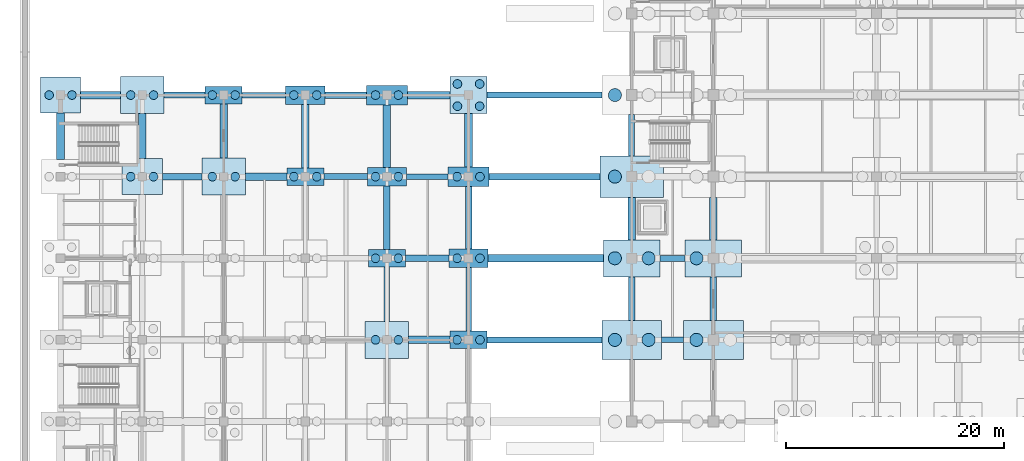
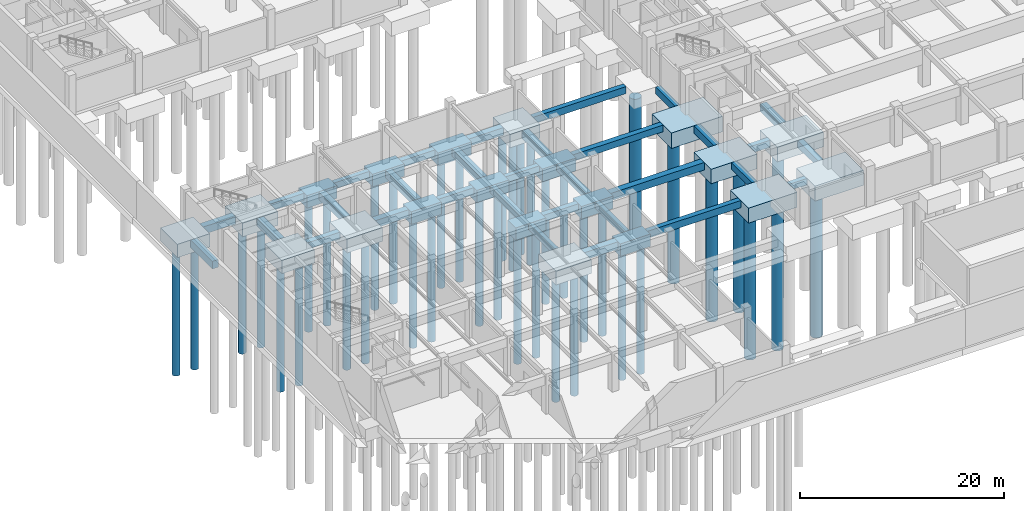
# One storey, part 3 of 38: 52 footings, 40 piles.
"""IFC4 building model written with IfcOpenShell, lengths in metres."""

from ifc_helpers import new_model, si_unit, direction, frame, origin, origin_2d, place, context, subcontext, project, spatial, polyline, rectangle, circle, outline, extrude, material, material_profile, profile_set, type_object, element, save


model = new_model("IFC4")

# Units and contexts
model_context = context("Model", 3, precision=1e-05, world=origin(), true_north=direction((0.0, 1.0)))
body_context = subcontext(model_context, "Body", "Model", "MODEL_VIEW")
ifc_project = project(units=[si_unit("LENGTHUNIT", "METRE"), si_unit("AREAUNIT", "SQUARE_METRE"), si_unit("VOLUMEUNIT", "CUBIC_METRE"), si_unit("PLANEANGLEUNIT", "RADIAN"), si_unit("MASSUNIT", "GRAM", prefix="KILO")], contexts=[model_context])

# Site, building, storey
site_placement = place(None, origin())
site = spatial("IfcSite", under=ifc_project, at=site_placement, CompositionType="ELEMENT")
building_placement = place(site_placement, origin())
building = spatial("IfcBuilding", under=site, at=building_placement, Name="Qasida Concert Hall", CompositionType="ELEMENT")
storey_placement = place(building_placement, frame((0.0, 0.0, -4.800048828125)))
storey = spatial("IfcBuildingStorey", under=building, at=storey_placement, Name="B1", CompositionType="ELEMENT", Elevation=-4.800048828125)

# Footings
ifc_material = material(Name="Concrete C40/50", Category="concrete")
footing_type_1 = type_object("IfcFootingType", Name="FT-GB-1", PredefinedType="FOOTING_BEAM", material=ifc_material)
footing_1_placement = place(storey_placement, frame((0.0, 0.0, -1.169921875)))
element("IfcFooting", 1, at=footing_1_placement, inside=storey, type_object=footing_type_1, Name="Ground tie beam GB-1 052", PredefinedType="FOOTING_BEAM", context=body_context, shape_type="SweptSolid", body=[
    extrude(outline(polyline([(55.25, 29.75), (57.25, 29.75), (57.25, 30.25), (55.25, 30.25), (55.25, 29.75)])), origin(), (0.0, 0.0, 1.0), 0.75),
])
footing_2_placement = place(storey_placement, frame((0.0, 0.0, -1.169921875)))
element("IfcFooting", 2, at=footing_2_placement, inside=storey, type_object=footing_type_1, Name="Ground tie beam GB-1 076", PredefinedType="FOOTING_BEAM", context=body_context, shape_type="SweptSolid", body=[
    extrude(outline(polyline([(31.800048828125, 44.75), (35.60009765625, 44.75), (35.60009765625, 45.25), (31.800048828125, 45.25), (31.800048828125, 44.75)])), origin(), (0.0, 0.0, 1.0), 0.75),
])
footing_3_placement = place(storey_placement, frame((0.0, 0.0, -1.169921875)))
element("IfcFooting", 3, at=footing_3_placement, inside=storey, type_object=footing_type_1, Name="Ground tie beam GB-1 084", PredefinedType="FOOTING_BEAM", context=body_context, shape_type="SweptSolid", body=[
    extrude(outline(polyline([(16.699951171875, 52.25), (20.699951171875, 52.25), (20.699951171875, 52.75), (16.699951171875, 52.75), (16.699951171875, 52.25)])), origin(), (0.0, 0.0, 1.0), 0.75),
])
footing_4_placement = place(storey_placement, frame((0.0, 0.0, -1.169921875)))
element("IfcFooting", 4, at=footing_4_placement, inside=storey, type_object=footing_type_1, Name="Ground tie beam GB-1 236", PredefinedType="FOOTING_BEAM", context=body_context, shape_type="SweptSolid", body=[
    extrude(outline(polyline([(29.75, 31.699951171875), (30.25, 31.699951171875), (30.25, 36.699951171875), (29.75, 36.699951171875), (29.75, 31.699951171875)])), origin(), (0.0, 0.0, 1.0), 0.75),
])
footing_5_placement = place(storey_placement, frame((0.0, 0.0, -1.169921875)))
element("IfcFooting", 5, at=footing_5_placement, inside=storey, type_object=footing_type_1, Name="Ground tie beam GB-1 248", PredefinedType="FOOTING_BEAM", context=body_context, shape_type="SweptSolid", body=[
    extrude(outline(polyline([(37.25, 30.800048828125), (37.75, 30.800048828125), (37.75, 36.64990234375), (37.25, 36.64990234375), (37.25, 30.800048828125)])), origin(), (0.0, 0.0, 1.0), 0.75),
])
footing_type_2 = type_object("IfcFootingType", Name="FT-GB-2", PredefinedType="FOOTING_BEAM", material=ifc_material)
footing_6_placement = place(storey_placement, frame((0.0, 0.0, -1.219970703125)))
element("IfcFooting", 6, at=footing_6_placement, inside=storey, type_object=footing_type_2, Name="Ground tie beam GB-2 065", PredefinedType="FOOTING_BEAM", context=body_context, shape_type="SweptSolid", body=[
    extrude(outline(polyline([(31.699951171875, 37.199951171875), (35.699951171875, 37.199951171875), (35.699951171875, 37.800048828125), (31.699951171875, 37.800048828125), (31.699951171875, 37.199951171875)])), origin(), (0.0, 0.0, 1.0), 0.800048828125),
])
footing_7_placement = place(storey_placement, frame((0.0, 0.0, -1.219970703125)))
element("IfcFooting", 7, at=footing_7_placement, inside=storey, type_object=footing_type_2, Name="Ground tie beam GB-2 073", PredefinedType="FOOTING_BEAM", context=body_context, shape_type="SweptSolid", body=[
    extrude(outline(polyline([(9.35009765625, 44.699951171875), (13.0, 44.699951171875), (13.0, 45.300048828125), (9.35009765625, 45.300048828125), (9.35009765625, 44.699951171875)])), origin(), (0.0, 0.0, 1.0), 0.800048828125),
])
footing_8_placement = place(storey_placement, frame((0.0, 0.0, -1.219970703125)))
element("IfcFooting", 8, at=footing_8_placement, inside=storey, type_object=footing_type_2, Name="Ground tie beam GB-2 077", PredefinedType="FOOTING_BEAM", context=body_context, shape_type="SweptSolid", body=[
    extrude(outline(polyline([(39.39990234375, 44.699951171875), (49.60009765625, 44.699951171875), (49.60009765625, 45.300048828125), (39.39990234375, 45.300048828125), (39.39990234375, 44.699951171875)])), origin(), (0.0, 0.0, 1.0), 0.800048828125),
])
footing_9_placement = place(storey_placement, frame((0.0, 0.0, -1.219970703125)))
element("IfcFooting", 9, at=footing_9_placement, inside=storey, type_object=footing_type_2, Name="Ground tie beam GB-2 085", PredefinedType="FOOTING_BEAM", context=body_context, shape_type="SweptSolid", body=[
    extrude(outline(polyline([(24.300048828125, 52.199951171875), (28.10009765625, 52.199951171875), (28.10009765625, 52.800048828125), (24.300048828125, 52.800048828125), (24.300048828125, 52.199951171875)])), origin(), (0.0, 0.0, 1.0), 0.800048828125),
])
footing_10_placement = place(storey_placement, frame((0.0, 0.0, -1.219970703125)))
element("IfcFooting", 10, at=footing_10_placement, inside=storey, type_object=footing_type_2, Name="Ground tie beam GB-2 237", PredefinedType="FOOTING_BEAM", context=body_context, shape_type="SweptSolid", body=[
    extrude(outline(polyline([(29.699951171875, 38.300048828125), (30.300048828125, 38.300048828125), (30.300048828125, 44.14990234375), (29.699951171875, 44.14990234375), (29.699951171875, 38.300048828125)])), origin(), (0.0, 0.0, 1.0), 0.800048828125),
])
footing_11_placement = place(storey_placement, frame((0.0, 0.0, -1.219970703125)))
element("IfcFooting", 11, at=footing_11_placement, inside=storey, type_object=footing_type_2, Name="Ground tie beam GB-2 249", PredefinedType="FOOTING_BEAM", context=body_context, shape_type="SweptSolid", body=[
    extrude(outline(polyline([(37.199951171875, 38.35009765625), (37.800048828125, 38.35009765625), (37.800048828125, 44.10009765625), (37.199951171875, 44.10009765625), (37.199951171875, 38.35009765625)])), origin(), (0.0, 0.0, 1.0), 0.800048828125),
])
footing_12_placement = place(storey_placement, frame((0.0, 0.0, -1.219970703125)))
element("IfcFooting", 12, at=footing_12_placement, inside=storey, type_object=footing_type_2, Name="Ground tie beam GB-2 257", PredefinedType="FOOTING_BEAM", context=body_context, shape_type="SweptSolid", body=[
    extrude(outline(polyline([(52.199951171875, 31.800048828125), (52.800048828125, 31.800048828125), (52.800048828125, 35.800048828125), (52.199951171875, 35.800048828125), (52.199951171875, 31.800048828125)])), origin(), (0.0, 0.0, 1.0), 0.800048828125),
])
footing_13_placement = place(storey_placement, frame((0.0, 0.0, -1.219970703125)))
element("IfcFooting", 13, at=footing_13_placement, inside=storey, type_object=footing_type_2, Name="Ground tie beam GB-2 265", PredefinedType="FOOTING_BEAM", context=body_context, shape_type="SweptSolid", body=[
    extrude(outline(polyline([(59.699951171875, 31.800048828125), (60.300048828125, 31.800048828125), (60.300048828125, 35.800048828125), (59.699951171875, 35.800048828125), (59.699951171875, 31.800048828125)])), origin(), (0.0, 0.0, 1.0), 0.800048828125),
])
footing_type_3 = type_object("IfcFootingType", Name="FT-GB-3", PredefinedType="FOOTING_BEAM", material=ifc_material)
footing_14_placement = place(storey_placement, frame((0.0, 0.0, -1.320068359375)))
element("IfcFooting", 14, at=footing_14_placement, inside=storey, type_object=footing_type_3, Name="Ground tie beam GB-3 050", PredefinedType="FOOTING_BEAM", context=body_context, shape_type="SweptSolid", body=[
    extrude(outline(polyline([(32.0, 29.64990234375), (35.800048828125, 29.64990234375), (35.800048828125, 30.35009765625), (32.0, 30.35009765625), (32.0, 29.64990234375)])), origin(), (0.0, 0.0, 1.0), 0.900146484375),
])
footing_15_placement = place(storey_placement, frame((0.0, 0.0, -1.320068359375)))
element("IfcFooting", 15, at=footing_15_placement, inside=storey, type_object=footing_type_3, Name="Ground tie beam GB-3 066", PredefinedType="FOOTING_BEAM", context=body_context, shape_type="SweptSolid", body=[
    extrude(outline(polyline([(39.300048828125, 37.14990234375), (49.89990234375, 37.14990234375), (49.89990234375, 37.85009765625), (39.300048828125, 37.85009765625), (39.300048828125, 37.14990234375)])), origin(), (0.0, 0.0, 1.0), 0.900146484375),
])
footing_16_placement = place(storey_placement, frame((0.0, 0.0, -1.320068359375)))
element("IfcFooting", 16, at=footing_16_placement, inside=storey, type_object=footing_type_3, Name="Ground tie beam GB-3 074", PredefinedType="FOOTING_BEAM", context=body_context, shape_type="SweptSolid", body=[
    extrude(outline(polyline([(17.0, 44.64990234375), (20.800048828125, 44.64990234375), (20.800048828125, 45.35009765625), (17.0, 45.35009765625), (17.0, 44.64990234375)])), origin(), (0.0, 0.0, 1.0), 0.900146484375),
])
footing_17_placement = place(storey_placement, frame((0.0, 0.0, -1.320068359375)))
element("IfcFooting", 17, at=footing_17_placement, inside=storey, type_object=footing_type_3, Name="Ground tie beam GB-3 082", PredefinedType="FOOTING_BEAM", context=body_context, shape_type="SweptSolid", body=[
    extrude(outline(polyline([(1.85009765625, 52.14990234375), (5.5, 52.14990234375), (5.5, 52.85009765625), (1.85009765625, 52.85009765625), (1.85009765625, 52.14990234375)])), origin(), (0.0, 0.0, 1.0), 0.900146484375),
])
footing_18_placement = place(storey_placement, frame((0.0, 0.0, -1.320068359375)))
element("IfcFooting", 18, at=footing_18_placement, inside=storey, type_object=footing_type_3, Name="Ground tie beam GB-3 086", PredefinedType="FOOTING_BEAM", context=body_context, shape_type="SweptSolid", body=[
    extrude(outline(polyline([(31.89990234375, 52.14990234375), (35.800048828125, 52.14990234375), (35.800048828125, 52.85009765625), (31.89990234375, 52.85009765625), (31.89990234375, 52.14990234375)])), origin(), (0.0, 0.0, 1.0), 0.900146484375),
])
footing_19_placement = place(storey_placement, frame((0.0, 0.0, -1.320068359375)))
element("IfcFooting", 19, at=footing_19_placement, inside=storey, type_object=footing_type_3, Name="Ground tie beam GB-3 190", PredefinedType="FOOTING_BEAM", context=body_context, shape_type="SweptSolid", body=[
    extrude(outline(polyline([(-0.35009765625, 46.60009765625), (0.35009765625, 46.60009765625), (0.35009765625, 50.85009765625), (-0.35009765625, 50.85009765625), (-0.35009765625, 46.60009765625)])), origin(), (0.0, 0.0, 1.0), 0.900146484375),
])
footing_20_placement = place(storey_placement, frame((0.0, 0.0, -1.320068359375)))
element("IfcFooting", 20, at=footing_20_placement, inside=storey, type_object=footing_type_3, Name="Ground tie beam GB-3 202", PredefinedType="FOOTING_BEAM", context=body_context, shape_type="SweptSolid", body=[
    extrude(outline(polyline([(7.14990234375, 46.64990234375), (7.85009765625, 46.64990234375), (7.85009765625, 50.800048828125), (7.14990234375, 50.800048828125), (7.14990234375, 46.64990234375)])), origin(), (0.0, 0.0, 1.0), 0.900146484375),
])
footing_21_placement = place(storey_placement, frame((0.0, 0.0, -1.320068359375)))
element("IfcFooting", 21, at=footing_21_placement, inside=storey, type_object=footing_type_3, Name="Ground tie beam GB-3 214", PredefinedType="FOOTING_BEAM", context=body_context, shape_type="SweptSolid", body=[
    extrude(outline(polyline([(14.64990234375, 46.699951171875), (15.35009765625, 46.699951171875), (15.35009765625, 51.699951171875), (14.64990234375, 51.699951171875), (14.64990234375, 46.699951171875)])), origin(), (0.0, 0.0, 1.0), 0.900146484375),
])
footing_22_placement = place(storey_placement, frame((0.0, 0.0, -1.320068359375)))
element("IfcFooting", 22, at=footing_22_placement, inside=storey, type_object=footing_type_3, Name="Ground tie beam GB-3 226", PredefinedType="FOOTING_BEAM", context=body_context, shape_type="SweptSolid", body=[
    extrude(outline(polyline([(22.14990234375, 45.800048828125), (22.85009765625, 45.800048828125), (22.85009765625, 51.64990234375), (22.14990234375, 51.64990234375), (22.14990234375, 45.800048828125)])), origin(), (0.0, 0.0, 1.0), 0.900146484375),
])
footing_23_placement = place(storey_placement, frame((0.0, 0.0, -1.320068359375)))
element("IfcFooting", 23, at=footing_23_placement, inside=storey, type_object=footing_type_3, Name="Ground tie beam GB-3 238", PredefinedType="FOOTING_BEAM", context=body_context, shape_type="SweptSolid", body=[
    extrude(outline(polyline([(29.64990234375, 45.85009765625), (30.35009765625, 45.85009765625), (30.35009765625, 51.60009765625), (29.64990234375, 51.60009765625), (29.64990234375, 45.85009765625)])), origin(), (0.0, 0.0, 1.0), 0.900146484375),
])
footing_24_placement = place(storey_placement, frame((0.0, 0.0, -1.320068359375)))
element("IfcFooting", 24, at=footing_24_placement, inside=storey, type_object=footing_type_3, Name="Ground tie beam GB-3 250", PredefinedType="FOOTING_BEAM", context=body_context, shape_type="SweptSolid", body=[
    extrude(outline(polyline([(37.14990234375, 45.89990234375), (37.85009765625, 45.89990234375), (37.85009765625, 50.800048828125), (37.14990234375, 50.800048828125), (37.14990234375, 45.89990234375)])), origin(), (0.0, 0.0, 1.0), 0.900146484375),
])
footing_25_placement = place(storey_placement, frame((0.0, 0.0, -1.320068359375)))
element("IfcFooting", 25, at=footing_25_placement, inside=storey, type_object=footing_type_3, Name="Ground tie beam GB-3 258", PredefinedType="FOOTING_BEAM", context=body_context, shape_type="SweptSolid", body=[
    extrude(outline(polyline([(52.14990234375, 39.199951171875), (52.85009765625, 39.199951171875), (52.85009765625, 43.10009765625), (52.14990234375, 43.10009765625), (52.14990234375, 39.199951171875)])), origin(), (0.0, 0.0, 1.0), 0.900146484375),
])
footing_26_placement = place(storey_placement, frame((0.0, 0.0, -1.320068359375)))
element("IfcFooting", 26, at=footing_26_placement, inside=storey, type_object=footing_type_3, Name="Ground tie beam GB-3 266", PredefinedType="FOOTING_BEAM", context=body_context, shape_type="SweptSolid", body=[
    extrude(outline(polyline([(59.64990234375, 39.199951171875), (60.35009765625, 39.199951171875), (60.35009765625, 43.10009765625), (59.64990234375, 43.10009765625), (59.64990234375, 39.199951171875)])), origin(), (0.0, 0.0, 1.0), 0.900146484375),
])
footing_type_4 = type_object("IfcFootingType", Name="FT-GB-4", PredefinedType="FOOTING_BEAM", material=ifc_material)
footing_27_placement = place(storey_placement, frame((0.0, 0.0, -1.27001953125)))
element("IfcFooting", 27, at=footing_27_placement, inside=storey, type_object=footing_type_4, Name="Ground tie beam GB-4 051", PredefinedType="FOOTING_BEAM", context=body_context, shape_type="SweptSolid", body=[
    extrude(outline(polyline([(39.199951171875, 29.72509765625), (49.75, 29.72509765625), (49.75, 30.27490234375), (39.199951171875, 30.27490234375), (39.199951171875, 29.72509765625)])), origin(), (0.0, 0.0, 1.0), 0.85009765625),
])
footing_28_placement = place(storey_placement, frame((0.0, 0.0, -1.27001953125)))
element("IfcFooting", 28, at=footing_28_placement, inside=storey, type_object=footing_type_4, Name="Ground tie beam GB-4 067", PredefinedType="FOOTING_BEAM", context=body_context, shape_type="SweptSolid", body=[
    extrude(outline(polyline([(55.10009765625, 37.22509765625), (57.39990234375, 37.22509765625), (57.39990234375, 37.77490234375), (55.10009765625, 37.77490234375), (55.10009765625, 37.22509765625)])), origin(), (0.0, 0.0, 1.0), 0.85009765625),
])
footing_29_placement = place(storey_placement, frame((0.0, 0.0, -1.27001953125)))
element("IfcFooting", 29, at=footing_29_placement, inside=storey, type_object=footing_type_4, Name="Ground tie beam GB-4 075", PredefinedType="FOOTING_BEAM", context=body_context, shape_type="SweptSolid", body=[
    extrude(outline(polyline([(24.199951171875, 44.72509765625), (28.199951171875, 44.72509765625), (28.199951171875, 45.27490234375), (24.199951171875, 45.27490234375), (24.199951171875, 44.72509765625)])), origin(), (0.0, 0.0, 1.0), 0.85009765625),
])
footing_30_placement = place(storey_placement, frame((0.0, 0.0, -1.27001953125)))
element("IfcFooting", 30, at=footing_30_placement, inside=storey, type_object=footing_type_4, Name="Ground tie beam GB-4 083", PredefinedType="FOOTING_BEAM", context=body_context, shape_type="SweptSolid", body=[
    extrude(outline(polyline([(9.5, 52.22509765625), (13.300048828125, 52.22509765625), (13.300048828125, 52.77490234375), (9.5, 52.77490234375), (9.5, 52.22509765625)])), origin(), (0.0, 0.0, 1.0), 0.85009765625),
])
footing_31_placement = place(storey_placement, frame((0.0, 0.0, -1.27001953125)))
element("IfcFooting", 31, at=footing_31_placement, inside=storey, type_object=footing_type_4, Name="Ground tie beam GB-4 087", PredefinedType="FOOTING_BEAM", context=body_context, shape_type="SweptSolid", body=[
    extrude(outline(polyline([(39.199951171875, 52.22509765625), (49.75, 52.22509765625), (49.75, 52.77490234375), (39.199951171875, 52.77490234375), (39.199951171875, 52.22509765625)])), origin(), (0.0, 0.0, 1.0), 0.85009765625),
])
footing_32_placement = place(storey_placement, frame((0.0, 0.0, -1.27001953125)))
element("IfcFooting", 32, at=footing_32_placement, inside=storey, type_object=footing_type_4, Name="Ground tie beam GB-4 259", PredefinedType="FOOTING_BEAM", context=body_context, shape_type="SweptSolid", body=[
    extrude(outline(polyline([(52.22509765625, 46.89990234375), (52.77490234375, 46.89990234375), (52.77490234375, 50.699951171875), (52.22509765625, 50.699951171875), (52.22509765625, 46.89990234375)])), origin(), (0.0, 0.0, 1.0), 0.85009765625),
])
footing_type_5 = type_object("IfcFootingType", Name="FT-PC-2C", PredefinedType="PILE_CAP", material=ifc_material)
for number, where, z_axis, x_axis, name in (
    (33, (15.0, 52.5, -1.919921875), (0.0, 0.0, 1.0), (1.0, 0.0, 0.0), "Pile cap PC-2C 112"),
    (34, (22.5, 45.0, -1.919921875), (0.0, 0.0, 1.0), (1.0, 0.0, 0.0), "Pile cap PC-2C 119"),
    (35, (30.0, 37.5, -1.919921875), (0.0, 0.0, 1.0), (1.0, 0.0, 0.0), "Pile cap PC-2C 126"),
    (36, (37.5, 30.0, -1.919921875), (0.0, 0.0, 1.0), (1.0, 0.0, 0.0), "Pile cap PC-2C 133"),
):
    element("IfcFooting", number, at=place(storey_placement, frame(where, z_axis=z_axis, x_axis=x_axis)), inside=storey, type_object=footing_type_5, Name=name, PredefinedType="PILE_CAP", context=body_context, shape_type="SweptSolid", body=[
        extrude(rectangle(XDim=3.39990234375, YDim=1.60009765625, at=origin_2d()), origin(), (0.0, 0.0, 1.0), 1.5),
    ])
footing_type_6 = type_object("IfcFootingType", Name="FT-PC-2D", PredefinedType="PILE_CAP", material=ifc_material)
for number, where, z_axis, x_axis, name in (
    (37, (22.5, 52.5, -1.919921875), (0.0, 0.0, 1.0), (1.0, 0.0, 0.0), "Pile cap PC-2D 120"),
    (38, (30.0, 45.0, -1.919921875), (0.0, 0.0, 1.0), (1.0, 0.0, 0.0), "Pile cap PC-2D 127"),
    (39, (37.5, 37.5, -1.919921875), (0.0, 0.0, 1.0), (1.0, 0.0, 0.0), "Pile cap PC-2D 134"),
):
    element("IfcFooting", number, at=place(storey_placement, frame(where, z_axis=z_axis, x_axis=x_axis)), inside=storey, type_object=footing_type_6, Name=name, PredefinedType="PILE_CAP", context=body_context, shape_type="SweptSolid", body=[
        extrude(rectangle(XDim=3.60009765625, YDim=1.699951171875, at=origin_2d()), origin(), (0.0, 0.0, 1.0), 1.5),
    ])
footing_type_7 = type_object("IfcFootingType", Name="FT-PC-2E", PredefinedType="PILE_CAP", material=ifc_material)
for number, where, z_axis, x_axis, name in (
    (40, (30.0, 52.5, -1.97021484375), (0.0, 0.0, 1.0), (1.0, 0.0, 0.0), "Pile cap PC-2E 128"),
    (41, (37.5, 45.0, -1.97021484375), (0.0, 0.0, 1.0), (1.0, 0.0, 0.0), "Pile cap PC-2E 135"),
):
    element("IfcFooting", number, at=place(storey_placement, frame(where, z_axis=z_axis, x_axis=x_axis)), inside=storey, type_object=footing_type_7, Name=name, PredefinedType="PILE_CAP", context=body_context, shape_type="SweptSolid", body=[
        extrude(rectangle(XDim=3.800048828125, YDim=1.800048828125, at=origin_2d()), origin(), (0.0, 0.0, 1.0), 1.550048828125),
    ])
footing_type_8 = type_object("IfcFootingType", Name="FT-PC-3C", PredefinedType="PILE_CAP", material=ifc_material)
for number, where, z_axis, x_axis, name in (
    (42, (0.0, 52.5, -2.02001953125), (0.0, 0.0, 1.0), (1.0, 0.0, 0.0), "Pile cap PC-3C 096"),
    (43, (7.5, 45.0, -2.02001953125), (0.0, 0.0, 1.0), (1.0, 0.0, 0.0), "Pile cap PC-3C 103"),
):
    element("IfcFooting", number, at=place(storey_placement, frame(where, z_axis=z_axis, x_axis=x_axis)), inside=storey, type_object=footing_type_8, Name=name, PredefinedType="PILE_CAP", context=body_context, shape_type="SweptSolid", body=[
        extrude(rectangle(XDim=3.699951171875, YDim=3.300048828125, at=origin_2d()), origin(), (0.0, 0.0, 1.0), 1.60009765625),
    ])
footing_type_9 = type_object("IfcFootingType", Name="FT-PC-4B", PredefinedType="PILE_CAP", material=ifc_material)
footing_33_placement = place(storey_placement, frame((37.5, 52.5, -2.02001953125), z_axis=(0.0, 0.0, 1.0), x_axis=(1.0, 0.0, 0.0)))
element("IfcFooting", 44, at=footing_33_placement, inside=storey, type_object=footing_type_9, Name="Pile cap PC-4B 136", PredefinedType="PILE_CAP", context=body_context, shape_type="SweptSolid", body=[
    extrude(rectangle(XDim=3.39990234375, YDim=3.39990234375, at=origin_2d()), origin(), (0.0, 0.0, 1.0), 1.60009765625),
])
footing_type_10 = type_object("IfcFootingType", Name="FT-PC-4E", PredefinedType="PILE_CAP", material=ifc_material)
for number, where, z_axis, x_axis, name in (
    (45, (7.5, 52.5, -2.06982421875), (0.0, 0.0, 1.0), (1.0, 0.0, 0.0), "Pile cap PC-4E 104"),
    (46, (15.0, 45.0, -2.06982421875), (0.0, 0.0, 1.0), (1.0, 0.0, 0.0), "Pile cap PC-4E 111"),
    (47, (30.0, 30.0, -2.06982421875), (0.0, 0.0, 1.0), (1.0, 0.0, 0.0), "Pile cap PC-4E 125"),
):
    element("IfcFooting", number, at=place(storey_placement, frame(where, z_axis=z_axis, x_axis=x_axis)), inside=storey, type_object=footing_type_10, Name=name, PredefinedType="PILE_CAP", context=body_context, shape_type="SweptSolid", body=[
        extrude(rectangle(XDim=4.0, YDim=3.39990234375, at=origin_2d()), origin(), (0.0, 0.0, 1.0), 1.64990234375),
    ])
footing_type_11 = type_object("IfcFootingType", Name="FT-PC-6A", PredefinedType="PILE_CAP", material=ifc_material)
for number, where, z_axis, x_axis, name in (
    (48, (52.5, 37.5, -2.169921875), (0.0, 0.0, 1.0), (1.0, 0.0, 0.0), "Pile cap PC-6A 003"),
    (49, (60.0, 37.5, -2.169921875), (0.0, 0.0, 1.0), (1.0, 0.0, 0.0), "Pile cap PC-6A 012"),
):
    element("IfcFooting", number, at=place(storey_placement, frame(where, z_axis=z_axis, x_axis=x_axis)), inside=storey, type_object=footing_type_11, Name=name, PredefinedType="PILE_CAP", context=body_context, shape_type="SweptSolid", body=[
        extrude(rectangle(XDim=5.199951171875, YDim=3.39990234375, at=origin_2d()), origin(), (0.0, 0.0, 1.0), 1.75),
    ])
footing_type_12 = type_object("IfcFootingType", Name="FT-PC-6B", PredefinedType="PILE_CAP", material=ifc_material)
footing_34_placement = place(storey_placement, frame((52.5, 45.0, -2.27001953125), z_axis=(0.0, 0.0, 1.0), x_axis=(1.0, 0.0, 0.0)))
element("IfcFooting", 50, at=footing_34_placement, inside=storey, type_object=footing_type_12, Name="Pile cap PC-6B 004", PredefinedType="PILE_CAP", context=body_context, shape_type="SweptSolid", body=[
    extrude(rectangle(XDim=5.800048828125, YDim=3.800048828125, at=origin_2d()), origin(), (0.0, 0.0, 1.0), 1.85009765625),
])
footing_type_13 = type_object("IfcFootingType", Name="FT-PC-6C", PredefinedType="PILE_CAP", material=ifc_material)
for number, where, z_axis, x_axis, name in (
    (51, (52.5, 30.0, -2.22021484375), (0.0, 0.0, 1.0), (1.0, 0.0, 0.0), "Pile cap PC-6C 002"),
    (52, (60.0, 30.0, -2.22021484375), (0.0, 0.0, 1.0), (1.0, 0.0, 0.0), "Pile cap PC-6C 011"),
):
    element("IfcFooting", number, at=place(storey_placement, frame(where, z_axis=z_axis, x_axis=x_axis)), inside=storey, type_object=footing_type_13, Name=name, PredefinedType="PILE_CAP", context=body_context, shape_type="SweptSolid", body=[
        extrude(rectangle(XDim=5.5, YDim=3.60009765625, at=origin_2d()), origin(), (0.0, 0.0, 1.0), 1.800048828125),
    ])

# Piles
ifc_material_profile_1 = material_profile(ifc_material, circle(Radius=0.60009765625, at=origin_2d()), Name="BORED PILE D1200")
ifc_profile_set_1 = profile_set([ifc_material_profile_1], Name="Concrete C40/50")
pile_type_1 = type_object("IfcPileType", Name="PL-BORED-1200", PredefinedType="BORED", material=ifc_profile_set_1)
for number, where, z_axis, x_axis, name in (
    (53, (50.949951171875, 30.0, -2.119873046875), (0.0, 0.0, -1.0), (1.0, 0.0, 0.0), "Bored pile 0003"),
    (54, (54.050048828125, 30.0, -2.119873046875), (0.0, 0.0, -1.0), (1.0, 0.0, 0.0), "Bored pile 0004"),
):
    element("IfcPile", number, at=place(storey_placement, frame(where, z_axis=z_axis, x_axis=x_axis)), inside=storey, type_object=pile_type_1, Name=name, PredefinedType="BORED", context=body_context, shape_type="SweptSolid", body=[
        extrude(circle(Radius=0.60009765625, at=origin_2d()), origin(), (0.0, 0.0, 1.0), 17.580078125),
    ])
for number, where, z_axis, x_axis, name in (
    (55, (50.949951171875, 37.5, -2.070068359375), (0.0, 0.0, -1.0), (1.0, 0.0, 0.0), "Bored pile 0005"),
    (56, (54.050048828125, 37.5, -2.070068359375), (0.0, 0.0, -1.0), (1.0, 0.0, 0.0), "Bored pile 0006"),
):
    element("IfcPile", number, at=place(storey_placement, frame(where, z_axis=z_axis, x_axis=x_axis)), inside=storey, type_object=pile_type_1, Name=name, PredefinedType="BORED", context=body_context, shape_type="SweptSolid", body=[
        extrude(circle(Radius=0.60009765625, at=origin_2d()), origin(), (0.0, 0.0, 1.0), 17.6298828125),
    ])
pile_1_placement = place(storey_placement, frame((50.949951171875, 45.0, -2.169921875), z_axis=(0.0, 0.0, -1.0), x_axis=(1.0, 0.0, 0.0)))
element("IfcPile", 57, at=pile_1_placement, inside=storey, type_object=pile_type_1, Name="Bored pile 0007", PredefinedType="BORED", context=body_context, shape_type="SweptSolid", body=[
    extrude(circle(Radius=0.60009765625, at=origin_2d()), origin(), (0.0, 0.0, 1.0), 17.530029296875),
])
for number, where, z_axis, x_axis, name in (
    (58, (50.949951171875, 52.5, -2.119873046875), (0.0, 0.0, -1.0), (1.0, 0.0, 0.0), "Bored pile 0009"),
    (59, (58.449951171875, 30.0, -2.119873046875), (0.0, 0.0, -1.0), (1.0, 0.0, 0.0), "Bored pile 0021"),
):
    element("IfcPile", number, at=place(storey_placement, frame(where, z_axis=z_axis, x_axis=x_axis)), inside=storey, type_object=pile_type_1, Name=name, PredefinedType="BORED", context=body_context, shape_type="SweptSolid", body=[
        extrude(circle(Radius=0.60009765625, at=origin_2d()), origin(), (0.0, 0.0, 1.0), 17.580078125),
    ])
pile_2_placement = place(storey_placement, frame((58.449951171875, 37.5, -2.070068359375), z_axis=(0.0, 0.0, -1.0), x_axis=(1.0, 0.0, 0.0)))
element("IfcPile", 60, at=pile_2_placement, inside=storey, type_object=pile_type_1, Name="Bored pile 0023", PredefinedType="BORED", context=body_context, shape_type="SweptSolid", body=[
    extrude(circle(Radius=0.60009765625, at=origin_2d()), origin(), (0.0, 0.0, 1.0), 17.6298828125),
])
ifc_material_profile_2 = material_profile(ifc_material, circle(Radius=0.39990234375, at=origin_2d()), Name="BORED PILE D800")
ifc_profile_set_2 = profile_set([ifc_material_profile_2], Name="Concrete C40/50")
pile_type_2 = type_object("IfcPileType", Name="PL-BORED-800", PredefinedType="BORED", material=ifc_profile_set_2)
for number, where, z_axis, x_axis, name in (
    (61, (-1.050048828125, 52.5, -1.919921875), (0.0, 0.0, -1.0), (1.0, 0.0, 0.0), "Bored pile 0219"),
    (62, (1.050048828125, 52.5, -1.919921875), (0.0, 0.0, -1.0), (1.0, 0.0, 0.0), "Bored pile 0220"),
    (63, (6.449951171875, 45.0, -1.919921875), (0.0, 0.0, -1.0), (1.0, 0.0, 0.0), "Bored pile 0235"),
    (64, (8.550048828125, 45.0, -1.919921875), (0.0, 0.0, -1.0), (1.0, 0.0, 0.0), "Bored pile 0236"),
):
    element("IfcPile", number, at=place(storey_placement, frame(where, z_axis=z_axis, x_axis=x_axis)), inside=storey, type_object=pile_type_2, Name=name, PredefinedType="BORED", context=body_context, shape_type="SweptSolid", body=[
        extrude(circle(Radius=0.39990234375, at=origin_2d()), origin(), (0.0, 0.0, 1.0), 15.280029296875),
    ])
for number, where, z_axis, x_axis, name in (
    (65, (6.449951171875, 52.5, -1.969970703125), (0.0, 0.0, -1.0), (1.0, 0.0, 0.0), "Bored pile 0237"),
    (66, (8.550048828125, 52.5, -1.969970703125), (0.0, 0.0, -1.0), (1.0, 0.0, 0.0), "Bored pile 0238"),
    (67, (13.949951171875, 45.0, -1.969970703125), (0.0, 0.0, -1.0), (1.0, 0.0, 0.0), "Bored pile 0253"),
    (68, (16.050048828125, 45.0, -1.969970703125), (0.0, 0.0, -1.0), (1.0, 0.0, 0.0), "Bored pile 0254"),
):
    element("IfcPile", number, at=place(storey_placement, frame(where, z_axis=z_axis, x_axis=x_axis)), inside=storey, type_object=pile_type_2, Name=name, PredefinedType="BORED", context=body_context, shape_type="SweptSolid", body=[
        extrude(circle(Radius=0.39990234375, at=origin_2d()), origin(), (0.0, 0.0, 1.0), 15.22998046875),
    ])
for number, where, z_axis, x_axis, name in (
    (69, (13.949951171875, 52.5, -1.820068359375), (0.0, 0.0, -1.0), (1.0, 0.0, 0.0), "Bored pile 0255"),
    (70, (16.050048828125, 52.5, -1.820068359375), (0.0, 0.0, -1.0), (1.0, 0.0, 0.0), "Bored pile 0256"),
    (71, (21.449951171875, 45.0, -1.820068359375), (0.0, 0.0, -1.0), (1.0, 0.0, 0.0), "Bored pile 0271"),
    (72, (23.550048828125, 45.0, -1.820068359375), (0.0, 0.0, -1.0), (1.0, 0.0, 0.0), "Bored pile 0272"),
    (73, (21.449951171875, 52.5, -1.820068359375), (0.0, 0.0, -1.0), (1.0, 0.0, 0.0), "Bored pile 0273"),
    (74, (23.550048828125, 52.5, -1.820068359375), (0.0, 0.0, -1.0), (1.0, 0.0, 0.0), "Bored pile 0274"),
):
    element("IfcPile", number, at=place(storey_placement, frame(where, z_axis=z_axis, x_axis=x_axis)), inside=storey, type_object=pile_type_2, Name=name, PredefinedType="BORED", context=body_context, shape_type="SweptSolid", body=[
        extrude(circle(Radius=0.39990234375, at=origin_2d()), origin(), (0.0, 0.0, 1.0), 15.3798828125),
    ])
for number, where, z_axis, x_axis, name in (
    (75, (28.949951171875, 30.0, -1.969970703125), (0.0, 0.0, -1.0), (1.0, 0.0, 0.0), "Bored pile 0285"),
    (76, (31.050048828125, 30.0, -1.969970703125), (0.0, 0.0, -1.0), (1.0, 0.0, 0.0), "Bored pile 0286"),
):
    element("IfcPile", number, at=place(storey_placement, frame(where, z_axis=z_axis, x_axis=x_axis)), inside=storey, type_object=pile_type_2, Name=name, PredefinedType="BORED", context=body_context, shape_type="SweptSolid", body=[
        extrude(circle(Radius=0.39990234375, at=origin_2d()), origin(), (0.0, 0.0, 1.0), 15.22998046875),
    ])
for number, where, z_axis, x_axis, name in (
    (77, (28.949951171875, 37.5, -1.820068359375), (0.0, 0.0, -1.0), (1.0, 0.0, 0.0), "Bored pile 0287"),
    (78, (31.050048828125, 37.5, -1.820068359375), (0.0, 0.0, -1.0), (1.0, 0.0, 0.0), "Bored pile 0288"),
    (79, (28.949951171875, 45.0, -1.820068359375), (0.0, 0.0, -1.0), (1.0, 0.0, 0.0), "Bored pile 0289"),
    (80, (31.050048828125, 45.0, -1.820068359375), (0.0, 0.0, -1.0), (1.0, 0.0, 0.0), "Bored pile 0290"),
):
    element("IfcPile", number, at=place(storey_placement, frame(where, z_axis=z_axis, x_axis=x_axis)), inside=storey, type_object=pile_type_2, Name=name, PredefinedType="BORED", context=body_context, shape_type="SweptSolid", body=[
        extrude(circle(Radius=0.39990234375, at=origin_2d()), origin(), (0.0, 0.0, 1.0), 15.3798828125),
    ])
for number, where, z_axis, x_axis, name in (
    (81, (28.949951171875, 52.5, -1.869873046875), (0.0, 0.0, -1.0), (1.0, 0.0, 0.0), "Bored pile 0291"),
    (82, (31.050048828125, 52.5, -1.869873046875), (0.0, 0.0, -1.0), (1.0, 0.0, 0.0), "Bored pile 0292"),
):
    element("IfcPile", number, at=place(storey_placement, frame(where, z_axis=z_axis, x_axis=x_axis)), inside=storey, type_object=pile_type_2, Name=name, PredefinedType="BORED", context=body_context, shape_type="SweptSolid", body=[
        extrude(circle(Radius=0.39990234375, at=origin_2d()), origin(), (0.0, 0.0, 1.0), 15.330078125),
    ])
for number, where, z_axis, x_axis, name in (
    (83, (36.449951171875, 30.0, -1.820068359375), (0.0, 0.0, -1.0), (1.0, 0.0, 0.0), "Bored pile 0303"),
    (84, (38.550048828125, 30.0, -1.820068359375), (0.0, 0.0, -1.0), (1.0, 0.0, 0.0), "Bored pile 0304"),
    (85, (36.449951171875, 37.5, -1.820068359375), (0.0, 0.0, -1.0), (1.0, 0.0, 0.0), "Bored pile 0305"),
    (86, (38.550048828125, 37.5, -1.820068359375), (0.0, 0.0, -1.0), (1.0, 0.0, 0.0), "Bored pile 0306"),
):
    element("IfcPile", number, at=place(storey_placement, frame(where, z_axis=z_axis, x_axis=x_axis)), inside=storey, type_object=pile_type_2, Name=name, PredefinedType="BORED", context=body_context, shape_type="SweptSolid", body=[
        extrude(circle(Radius=0.39990234375, at=origin_2d()), origin(), (0.0, 0.0, 1.0), 15.3798828125),
    ])
for number, where, z_axis, x_axis, name in (
    (87, (36.449951171875, 45.0, -1.869873046875), (0.0, 0.0, -1.0), (1.0, 0.0, 0.0), "Bored pile 0307"),
    (88, (38.550048828125, 45.0, -1.869873046875), (0.0, 0.0, -1.0), (1.0, 0.0, 0.0), "Bored pile 0308"),
):
    element("IfcPile", number, at=place(storey_placement, frame(where, z_axis=z_axis, x_axis=x_axis)), inside=storey, type_object=pile_type_2, Name=name, PredefinedType="BORED", context=body_context, shape_type="SweptSolid", body=[
        extrude(circle(Radius=0.39990234375, at=origin_2d()), origin(), (0.0, 0.0, 1.0), 15.330078125),
    ])
for number, where, z_axis, x_axis, name in (
    (89, (36.47998046875, 51.47998046875, -1.919921875), (0.0, 0.0, -1.0), (1.0, 0.0, 0.0), "Bored pile 0309"),
    (90, (38.52001953125, 51.47998046875, -1.919921875), (0.0, 0.0, -1.0), (1.0, 0.0, 0.0), "Bored pile 0310"),
    (91, (36.47998046875, 53.52001953125, -1.919921875), (0.0, 0.0, -1.0), (1.0, 0.0, 0.0), "Bored pile 0311"),
    (92, (38.52001953125, 53.52001953125, -1.919921875), (0.0, 0.0, -1.0), (1.0, 0.0, 0.0), "Bored pile 0312"),
):
    element("IfcPile", number, at=place(storey_placement, frame(where, z_axis=z_axis, x_axis=x_axis)), inside=storey, type_object=pile_type_2, Name=name, PredefinedType="BORED", context=body_context, shape_type="SweptSolid", body=[
        extrude(circle(Radius=0.39990234375, at=origin_2d()), origin(), (0.0, 0.0, 1.0), 15.280029296875),
    ])

save(model, "model.ifc")
